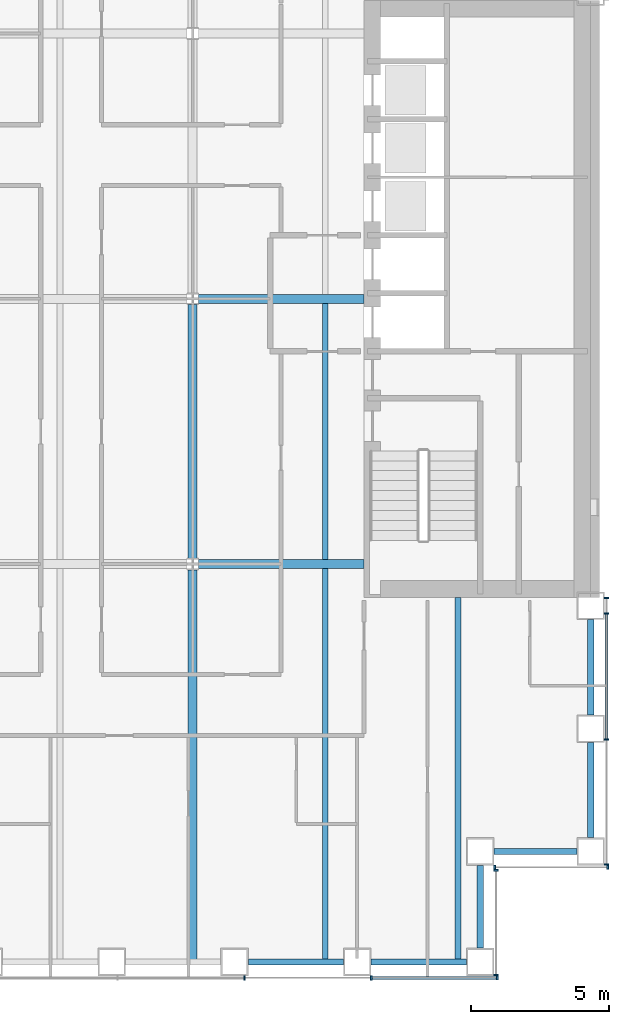
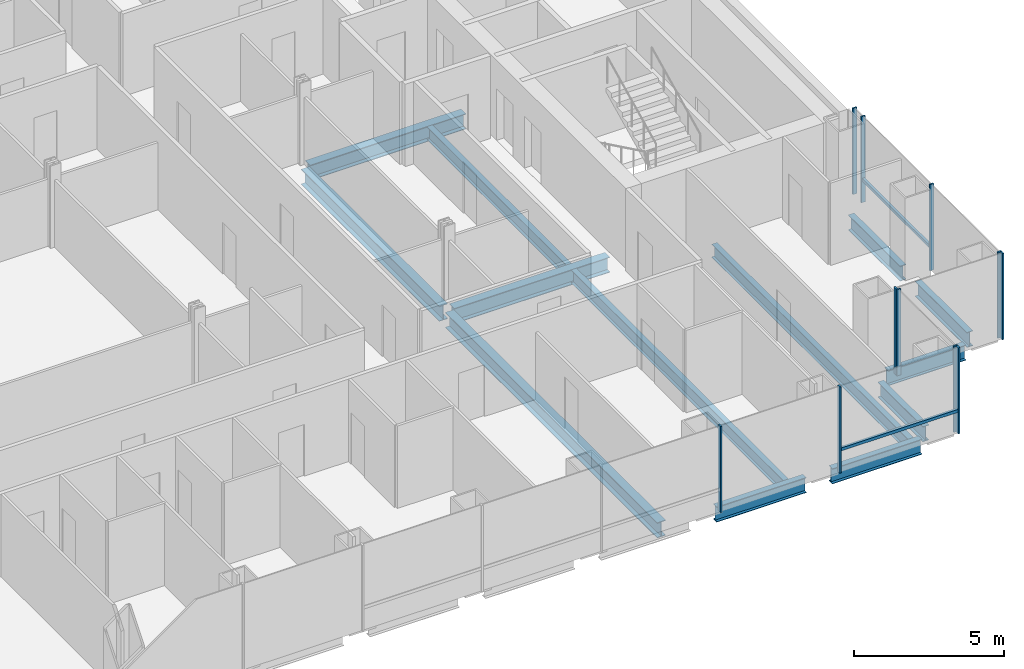
# One storey, part 5 of 23: 13 beams, 13 members, 4 elements without a shape of their own.
"""IFC4 building model written with IfcOpenShell, lengths in metres."""

from ifc_helpers import new_model, si_unit, direction, frame, origin, origin_2d, place, context, subcontext, project, spatial, rectangle, i_section, extrude, material, material_profile, profile_set, type_object, element, aggregate, save


model = new_model("IFC4")

# Units and contexts
model_context = context("Model", 3, precision=1e-05, world=origin(), true_north=direction((0.0, 1.0)))
body_context = subcontext(model_context, "Body", "Model", "MODEL_VIEW")
ifc_project = project(units=[si_unit("LENGTHUNIT", "METRE"), si_unit("AREAUNIT", "SQUARE_METRE"), si_unit("VOLUMEUNIT", "CUBIC_METRE"), si_unit("PLANEANGLEUNIT", "RADIAN"), si_unit("MASSUNIT", "GRAM", prefix="KILO")], contexts=[model_context])

# Site, building, storey
site_placement = place(None, origin())
site = spatial("IfcSite", under=ifc_project, at=site_placement, CompositionType="ELEMENT")
building_placement = place(site_placement, origin())
building = spatial("IfcBuilding", under=site, at=building_placement, Name="Cobrizo Arcos Hotel Tower", CompositionType="ELEMENT")
storey_placement = place(building_placement, frame((0.0, 0.0, 49.5)))
storey = spatial("IfcBuildingStorey", under=building, at=storey_placement, Name="L10", CompositionType="ELEMENT", Elevation=49.5)

# Curtain wall, members
ifc_material_1 = material(Name="Aluminium 6063-T6 anodised bronze", Category="aluminium")
curtain_wall_type = type_object("IfcCurtainWallType", Name="CW-A guest facade", PredefinedType="NOTDEFINED", material=ifc_material_1)
curtain_wall_1_placement = place(storey_placement, origin())
curtain_wall_1 = element("IfcCurtainWall", 1, at=curtain_wall_1_placement, inside=storey, type_object=curtain_wall_type, Name="CW-A L10 S face", PredefinedType="NOTDEFINED")
ifc_material_profile_1 = material_profile(ifc_material_1, rectangle(XDim=0.14990234375, YDim=0.06005859375, at=origin_2d()), Name="CW-A mullion 150x60")
ifc_profile_set_1 = profile_set([ifc_material_profile_1], Name="Aluminium 6063-T6 anodised bronze")
member_type_1 = type_object("IfcMemberType", Name="CW-A mullion 150x60", PredefinedType="MULLION", material=ifc_profile_set_1)
member_1_placement = place(storey_placement, frame((11.47216796875, -24.574951171875, 0.0), z_axis=(0.0, 0.0, 1.0), x_axis=(0.0, -1.0, 0.0)))
member_1 = element("IfcMember", 2, at=member_1_placement, type_object=member_type_1, Name="CW-A mullion 8", PredefinedType="MULLION", context=body_context, shape_type="SweptSolid", body=[
    extrude(rectangle(XDim=0.14990234375, YDim=0.06005859375, at=origin_2d()), origin(), (0.0, 0.0, 1.0), 3.5),
])
member_2_placement = place(storey_placement, frame((16.06103515625, -24.574951171875, 0.0), z_axis=(0.0, 0.0, 1.0), x_axis=(0.0, -1.0, 0.0)))
member_2 = element("IfcMember", 3, at=member_2_placement, type_object=member_type_1, Name="CW-A mullion 9", PredefinedType="MULLION", context=body_context, shape_type="SweptSolid", body=[
    extrude(rectangle(XDim=0.14990234375, YDim=0.06005859375, at=origin_2d()), origin(), (0.0, 0.0, 1.0), 3.5),
])
member_3_placement = place(storey_placement, frame((20.6201171875, -24.574951171875, 0.0), z_axis=(0.0, 0.0, 1.0), x_axis=(0.0, -1.0, 0.0)))
member_3 = element("IfcMember", 4, at=member_3_placement, type_object=member_type_1, Name="CW-A mullion 10", PredefinedType="MULLION", context=body_context, shape_type="SweptSolid", body=[
    extrude(rectangle(XDim=0.14990234375, YDim=0.06005859375, at=origin_2d()), origin(), (0.0, 0.0, 1.0), 3.5),
])

curtain_wall_2_placement = place(storey_placement, origin())
curtain_wall_2 = element("IfcCurtainWall", 5, at=curtain_wall_2_placement, inside=storey, type_object=curtain_wall_type, Name="CW-A L10 E face", PredefinedType="NOTDEFINED")
member_4_placement = place(storey_placement, frame((20.574951171875, -24.469970703125, 0.0), z_axis=(0.0, 0.0, 1.0), x_axis=(1.0, 0.0, 0.0)))
member_4 = element("IfcMember", 6, at=member_4_placement, type_object=member_type_1, Name="CW-A mullion 1", PredefinedType="MULLION", context=body_context, shape_type="SweptSolid", body=[
    extrude(rectangle(XDim=0.14990234375, YDim=0.06005859375, at=origin_2d()), origin(), (0.0, 0.0, 1.0), 3.5),
])
member_5_placement = place(storey_placement, frame((20.574951171875, -20.679931640625, 0.0), z_axis=(0.0, 0.0, 1.0), x_axis=(1.0, 0.0, 0.0)))
member_5 = element("IfcMember", 7, at=member_5_placement, type_object=member_type_1, Name="CW-A mullion 2", PredefinedType="MULLION", context=body_context, shape_type="SweptSolid", body=[
    extrude(rectangle(XDim=0.14990234375, YDim=0.06005859375, at=origin_2d()), origin(), (0.0, 0.0, 1.0), 3.5),
])
aggregate(curtain_wall_2, [member_4, member_5])

curtain_wall_3_placement = place(storey_placement, origin())
curtain_wall_3 = element("IfcCurtainWall", 8, at=curtain_wall_3_placement, inside=storey, type_object=curtain_wall_type, Name="CW-A L10 S face", PredefinedType="NOTDEFINED")
member_6_placement = place(storey_placement, frame((20.530029296875, -20.574951171875, 0.0), z_axis=(0.0, 0.0, 1.0), x_axis=(0.0, -1.0, 0.0)))
member_6 = element("IfcMember", 9, at=member_6_placement, type_object=member_type_1, Name="CW-A mullion 1", PredefinedType="MULLION", context=body_context, shape_type="SweptSolid", body=[
    extrude(rectangle(XDim=0.14990234375, YDim=0.06005859375, at=origin_2d()), origin(), (0.0, 0.0, 1.0), 3.5),
])
member_7_placement = place(storey_placement, frame((24.6201171875, -20.574951171875, 0.0), z_axis=(0.0, 0.0, 1.0), x_axis=(0.0, -1.0, 0.0)))
member_7 = element("IfcMember", 10, at=member_7_placement, type_object=member_type_1, Name="CW-A mullion 2", PredefinedType="MULLION", context=body_context, shape_type="SweptSolid", body=[
    extrude(rectangle(XDim=0.14990234375, YDim=0.06005859375, at=origin_2d()), origin(), (0.0, 0.0, 1.0), 3.5),
])
aggregate(curtain_wall_3, [member_6, member_7])

curtain_wall_4_placement = place(storey_placement, origin())
curtain_wall_4 = element("IfcCurtainWall", 11, at=curtain_wall_4_placement, inside=storey, type_object=curtain_wall_type, Name="CW-A L10 E face", PredefinedType="NOTDEFINED")
member_8_placement = place(storey_placement, frame((24.574951171875, -20.469970703125, 0.0), z_axis=(0.0, 0.0, 1.0), x_axis=(1.0, 0.0, 0.0)))
member_8 = element("IfcMember", 12, at=member_8_placement, type_object=member_type_1, Name="CW-A mullion 1", PredefinedType="MULLION", context=body_context, shape_type="SweptSolid", body=[
    extrude(rectangle(XDim=0.14990234375, YDim=0.06005859375, at=origin_2d()), origin(), (0.0, 0.0, 1.0), 3.5),
])
member_9_placement = place(storey_placement, frame((24.574951171875, -15.9443359375, 0.0), z_axis=(0.0, 0.0, 1.0), x_axis=(1.0, 0.0, 0.0)))
member_9 = element("IfcMember", 13, at=member_9_placement, type_object=member_type_1, Name="CW-A mullion 2", PredefinedType="MULLION", context=body_context, shape_type="SweptSolid", body=[
    extrude(rectangle(XDim=0.14990234375, YDim=0.06005859375, at=origin_2d()), origin(), (0.0, 0.0, 1.0), 3.5),
])
member_10_placement = place(storey_placement, frame((24.574951171875, -11.388916015625, 0.0), z_axis=(0.0, 0.0, 1.0), x_axis=(1.0, 0.0, 0.0)))
member_10 = element("IfcMember", 14, at=member_10_placement, type_object=member_type_1, Name="CW-A mullion 3", PredefinedType="MULLION", context=body_context, shape_type="SweptSolid", body=[
    extrude(rectangle(XDim=0.14990234375, YDim=0.06005859375, at=origin_2d()), origin(), (0.0, 0.0, 1.0), 3.5),
])
member_11_placement = place(storey_placement, frame((24.574951171875, -10.830078125, 0.0), z_axis=(0.0, 0.0, 1.0), x_axis=(1.0, 0.0, 0.0)))
member_11 = element("IfcMember", 15, at=member_11_placement, type_object=member_type_1, Name="CW-A mullion 4", PredefinedType="MULLION", context=body_context, shape_type="SweptSolid", body=[
    extrude(rectangle(XDim=0.14990234375, YDim=0.06005859375, at=origin_2d()), origin(), (0.0, 0.0, 1.0), 3.5),
])

# Member
ifc_material_profile_2 = material_profile(ifc_material_1, rectangle(XDim=0.10009765625, YDim=0.1201171875, at=origin_2d()), Name="CW-A transom 120x100")
ifc_profile_set_2 = profile_set([ifc_material_profile_2], Name="Aluminium 6063-T6 anodised bronze")
member_type_2 = type_object("IfcMemberType", Name="CW-A transom 120x100", PredefinedType="USERDEFINED", material=ifc_profile_set_2)
member_12_placement = place(storey_placement, frame((16.091064453125, -24.574951171875, 0.929931640625), z_axis=(1.0, 0.0, 0.0), x_axis=(0.0, 1.0, 0.0)))
member_12 = element("IfcMember", 16, at=member_12_placement, type_object=member_type_2, Name="CW-A transom 483", ObjectType="TRANSOM", PredefinedType="USERDEFINED", context=body_context, shape_type="SweptSolid", body=[
    extrude(rectangle(XDim=0.10009765625, YDim=0.1201171875, at=origin_2d()), origin(), (0.0, 0.0, 1.0), 4.4990234375),
])

aggregate(curtain_wall_1, [member_1, member_2, member_3, member_12])

member_13_placement = place(storey_placement, frame((24.574951171875, -15.91455078125, 0.929931640625), z_axis=(0.0, 1.0, 0.0), x_axis=(-1.0, 0.0, 0.0)))
member_13 = element("IfcMember", 17, at=member_13_placement, type_object=member_type_2, Name="CW-A transom 487", ObjectType="TRANSOM", PredefinedType="USERDEFINED", context=body_context, shape_type="SweptSolid", body=[
    extrude(rectangle(XDim=0.10009765625, YDim=0.1201171875, at=origin_2d()), origin(), (0.0, 0.0, 1.0), 4.49560546875),
])

aggregate(curtain_wall_4, [member_8, member_9, member_10, member_11, member_13])

# Beams
ifc_material_2 = material(Name="Steel ASTM A992 Grade 50", Category="steel")
ifc_material_profile_3 = material_profile(ifc_material_2, i_section(OverallWidth=0.209228515625, OverallDepth=0.533447265625, WebThickness=0.01025390625, FlangeThickness=0.015625, at=origin_2d()), Name="W21X62")
ifc_profile_set_3 = profile_set([ifc_material_profile_3], Name="Steel ASTM A992 Grade 50")
beam_type_1 = type_object("IfcBeamType", Name="W21X62 joist", PredefinedType="JOIST", material=ifc_profile_set_3)
beam_1_placement = place(storey_placement, frame((14.39990234375, -23.909912109375, -0.416748046875), z_axis=(0.0, 1.0, 0.0), x_axis=(-1.0, 0.0, 0.0)))
element("IfcBeam", 18, at=beam_1_placement, inside=storey, type_object=beam_type_1, Name="Floor joist J1, L10, no. 015", PredefinedType="JOIST", context=body_context, shape_type="SweptSolid", body=[
    extrude(i_section(OverallWidth=0.209228515625, OverallDepth=0.533447265625, WebThickness=0.01025390625, FlangeThickness=0.015625, at=origin_2d()), origin(), (0.0, 0.0, 1.0), 14.14599609375),
])
beam_2_placement = place(storey_placement, frame((14.39990234375, -9.43603515625, -0.416748046875), z_axis=(0.0, 1.0, 0.0), x_axis=(-1.0, 0.0, 0.0)))
element("IfcBeam", 19, at=beam_2_placement, inside=storey, type_object=beam_type_1, Name="Floor joist J1, L10, no. 016", PredefinedType="JOIST", context=body_context, shape_type="SweptSolid", body=[
    extrude(i_section(OverallWidth=0.209228515625, OverallDepth=0.533447265625, WebThickness=0.01025390625, FlangeThickness=0.015625, at=origin_2d()), origin(), (0.0, 0.0, 1.0), 9.272216796875),
])
beam_3_placement = place(storey_placement, frame((19.199951171875, -23.909912109375, -0.416748046875), z_axis=(0.0, 1.0, 0.0), x_axis=(-1.0, 0.0, 0.0)))
element("IfcBeam", 20, at=beam_3_placement, inside=storey, type_object=beam_type_1, Name="Floor joist J1, L10, no. 019", PredefinedType="JOIST", context=body_context, shape_type="SweptSolid", body=[
    extrude(i_section(OverallWidth=0.209228515625, OverallDepth=0.533447265625, WebThickness=0.01025390625, FlangeThickness=0.015625, at=origin_2d()), origin(), (0.0, 0.0, 1.0), 13.099853515625),
])
ifc_material_profile_4 = material_profile(ifc_material_2, i_section(OverallWidth=0.32763671875, OverallDepth=0.622314453125, WebThickness=0.015380859375, FlangeThickness=0.0244140625, at=origin_2d()), Name="W24X131")
ifc_profile_set_4 = profile_set([ifc_material_profile_4], Name="Steel ASTM A992 Grade 50")
beam_type_2 = type_object("IfcBeamType", Name="W24X131 girder", PredefinedType="BEAM", material=ifc_profile_set_4)
for number, where, z_axis, x_axis, name in (
    (21, (9.804443359375, -9.60009765625, -0.461181640625), (1.0, 0.0, 0.0), (0.0, 1.0, 0.0), "Floor girder G1, L10, no. 004"),
    (22, (9.804443359375, 0.0, -0.461181640625), (1.0, 0.0, 0.0), (0.0, 1.0, 0.0), "Floor girder G1, L10, no. 008"),
):
    element("IfcBeam", number, at=place(storey_placement, frame(where, z_axis=z_axis, x_axis=x_axis)), inside=storey, type_object=beam_type_2, Name=name, PredefinedType="BEAM", context=body_context, shape_type="SweptSolid", body=[
        extrude(i_section(OverallWidth=0.32763671875, OverallDepth=0.622314453125, WebThickness=0.015380859375, FlangeThickness=0.0244140625, at=origin_2d()), origin(), (0.0, 0.0, 1.0), 5.985595703125),
    ])
beam_4_placement = place(storey_placement, frame((9.60009765625, -23.909912109375, -0.461181640625), z_axis=(0.0, 1.0, 0.0), x_axis=(-1.0, 0.0, 0.0)))
element("IfcBeam", 23, at=beam_4_placement, inside=storey, type_object=beam_type_2, Name="Floor girder G1, L10, no. 021", PredefinedType="BEAM", context=body_context, shape_type="SweptSolid", body=[
    extrude(i_section(OverallWidth=0.32763671875, OverallDepth=0.622314453125, WebThickness=0.015380859375, FlangeThickness=0.0244140625, at=origin_2d()), origin(), (0.0, 0.0, 1.0), 14.10546875),
])
beam_5_placement = place(storey_placement, frame((9.60009765625, -9.3955078125, -0.461181640625), z_axis=(0.0, 1.0, 0.0), x_axis=(-1.0, 0.0, 0.0)))
element("IfcBeam", 24, at=beam_5_placement, inside=storey, type_object=beam_type_2, Name="Floor girder G1, L10, no. 022", PredefinedType="BEAM", context=body_context, shape_type="SweptSolid", body=[
    extrude(i_section(OverallWidth=0.32763671875, OverallDepth=0.622314453125, WebThickness=0.015380859375, FlangeThickness=0.0244140625, at=origin_2d()), origin(), (0.0, 0.0, 1.0), 9.191162109375),
])
ifc_material_profile_5 = material_profile(ifc_material_2, i_section(OverallWidth=0.23046875, OverallDepth=0.6171875, WebThickness=0.01318359375, FlangeThickness=0.022216796875, at=origin_2d()), Name="W24X94")
ifc_profile_set_5 = profile_set([ifc_material_profile_5], Name="Steel ASTM A992 Grade 50")
beam_type_3 = type_object("IfcBeamType", Name="W24X94 spandrel", PredefinedType="SPANDREL", material=ifc_profile_set_5)
beam_6_placement = place(storey_placement, frame((11.611083984375, -24.0, -0.45849609375), z_axis=(1.0, 0.0, 0.0), x_axis=(0.0, 1.0, 0.0)))
element("IfcBeam", 25, at=beam_6_placement, inside=storey, type_object=beam_type_3, Name="Spandrel beam W24X94, L10, no. 008", PredefinedType="SPANDREL", context=body_context, shape_type="SweptSolid", body=[
    extrude(i_section(OverallWidth=0.23046875, OverallDepth=0.6171875, WebThickness=0.01318359375, FlangeThickness=0.022216796875, at=origin_2d()), origin(), (0.0, 0.0, 1.0), 3.44482421875),
])
beam_7_placement = place(storey_placement, frame((16.055908203125, -24.0, -0.45849609375), z_axis=(1.0, 0.0, 0.0), x_axis=(0.0, 1.0, 0.0)))
element("IfcBeam", 26, at=beam_7_placement, inside=storey, type_object=beam_type_3, Name="Spandrel beam W24X94, L10, no. 009", PredefinedType="SPANDREL", context=body_context, shape_type="SweptSolid", body=[
    extrude(i_section(OverallWidth=0.23046875, OverallDepth=0.6171875, WebThickness=0.01318359375, FlangeThickness=0.022216796875, at=origin_2d()), origin(), (0.0, 0.0, 1.0), 3.444091796875),
])
for number, where, z_axis, x_axis, name in (
    (27, (20.0, -23.5, -0.45849609375), (0.0, 1.0, 0.0), (-1.0, 0.0, 0.0), "Spandrel beam W24X94, L10, no. 010"),
    (28, (20.5, -20.0, -0.45849609375), (1.0, 0.0, 0.0), (0.0, 1.0, 0.0), "Spandrel beam W24X94, L10, no. 011"),
):
    element("IfcBeam", number, at=place(storey_placement, frame(where, z_axis=z_axis, x_axis=x_axis)), inside=storey, type_object=beam_type_3, Name=name, PredefinedType="SPANDREL", context=body_context, shape_type="SweptSolid", body=[
        extrude(i_section(OverallWidth=0.23046875, OverallDepth=0.6171875, WebThickness=0.01318359375, FlangeThickness=0.022216796875, at=origin_2d()), origin(), (0.0, 0.0, 1.0), 3.0),
    ])
beam_8_placement = place(storey_placement, frame((24.0, -19.5, -0.45849609375), z_axis=(0.0, 1.0, 0.0), x_axis=(-1.0, 0.0, 0.0)))
element("IfcBeam", 29, at=beam_8_placement, inside=storey, type_object=beam_type_3, Name="Spandrel beam W24X94, L10, no. 012", PredefinedType="SPANDREL", context=body_context, shape_type="SweptSolid", body=[
    extrude(i_section(OverallWidth=0.23046875, OverallDepth=0.6171875, WebThickness=0.01318359375, FlangeThickness=0.022216796875, at=origin_2d()), origin(), (0.0, 0.0, 1.0), 3.444091796875),
])
beam_9_placement = place(storey_placement, frame((24.0, -15.055908203125, -0.45849609375), z_axis=(0.0, 1.0, 0.0), x_axis=(-1.0, 0.0, 0.0)))
element("IfcBeam", 30, at=beam_9_placement, inside=storey, type_object=beam_type_3, Name="Spandrel beam W24X94, L10, no. 013", PredefinedType="SPANDREL", context=body_context, shape_type="SweptSolid", body=[
    extrude(i_section(OverallWidth=0.23046875, OverallDepth=0.6171875, WebThickness=0.01318359375, FlangeThickness=0.022216796875, at=origin_2d()), origin(), (0.0, 0.0, 1.0), 3.44482421875),
])

save(model, "model.ifc")
